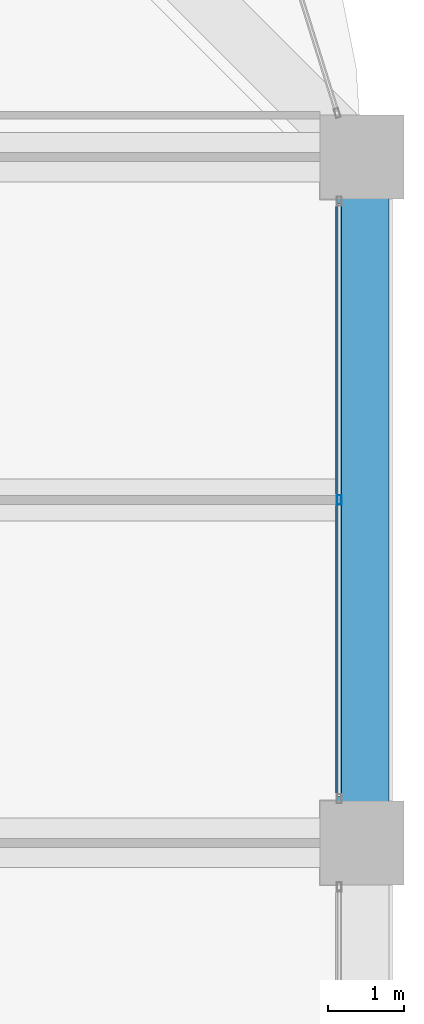
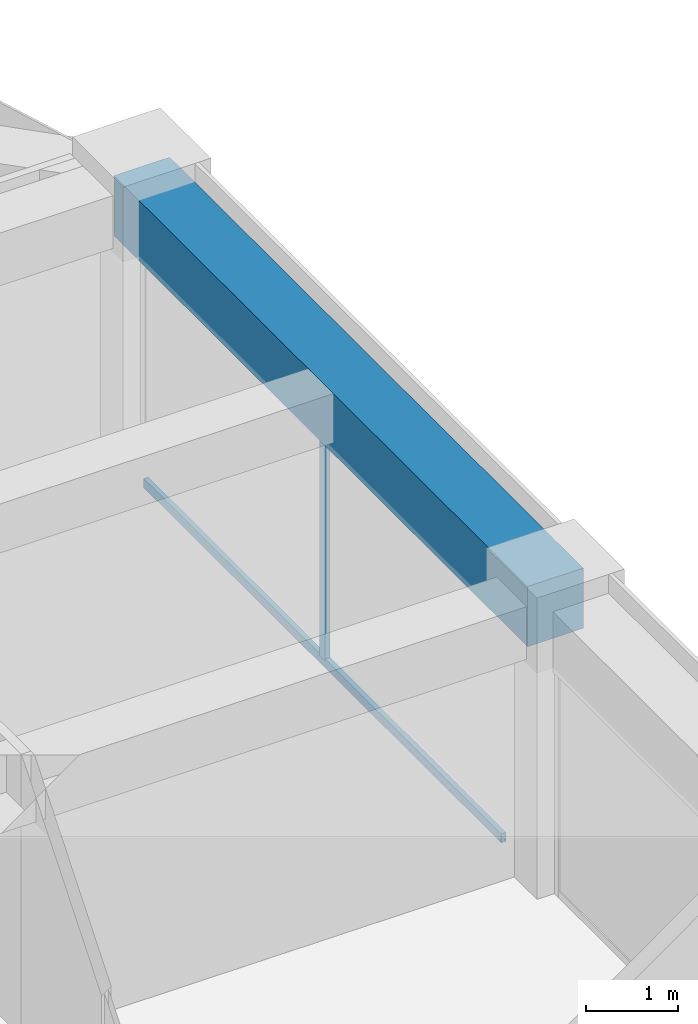
# One storey, part 27 of 44: 2 members, 1 beam, 1 element without a shape of its own.
"""IFC4 building model written with IfcOpenShell, lengths in metres."""

from ifc_helpers import new_model, si_unit, direction, frame, origin, origin_2d, place, context, subcontext, project, spatial, rectangle, hollow_rectangle, extrude, material, material_profile, profile_set, type_object, element, aggregate, save


model = new_model("IFC4")

# Units and contexts
model_context = context("Model", 3, precision=1e-05, world=origin(), true_north=direction((0.0, 1.0)))
body_context = subcontext(model_context, "Body", "Model", "MODEL_VIEW")
ifc_project = project(units=[si_unit("LENGTHUNIT", "METRE"), si_unit("AREAUNIT", "SQUARE_METRE"), si_unit("VOLUMEUNIT", "CUBIC_METRE"), si_unit("PLANEANGLEUNIT", "RADIAN"), si_unit("MASSUNIT", "GRAM", prefix="KILO")], contexts=[model_context])

# Site, building, storey
site_placement = place(None, origin())
site = spatial("IfcSite", under=ifc_project, at=site_placement, CompositionType="ELEMENT")
building_placement = place(site_placement, origin())
building = spatial("IfcBuilding", under=site, at=building_placement, Name="Zorevar Civic Tower", CompositionType="ELEMENT")
storey_placement = place(building_placement, frame((0.0, 0.0, 271.39990234375)))
storey = spatial("IfcBuildingStorey", under=building, at=storey_placement, Name="L66", CompositionType="ELEMENT", Elevation=271.39990234375)

# Curtain wall, members
ifc_material_1 = material(Name="Dark grey solar-control glass in black aluminium frame", Category="aluminium")
curtain_wall_type = type_object("IfcCurtainWallType", Name="Curtain wall CW5 top zone", PredefinedType="NOTDEFINED", material=ifc_material_1)
curtain_wall_placement = place(storey_placement, origin())
curtain_wall = element("IfcCurtainWall", 1, at=curtain_wall_placement, inside=storey, type_object=curtain_wall_type, Name="CW5 L66", PredefinedType="NOTDEFINED")
ifc_material_2 = material(Name="Aluminium, black anodised", Category="aluminium")
ifc_material_profile_1 = material_profile(ifc_material_2, hollow_rectangle(XDim=0.06005859375, YDim=0.1201171875, WallThickness=0.0029296875, at=origin_2d()), Name="AL 120x60x3")
ifc_profile_set_1 = profile_set([ifc_material_profile_1], Name="Aluminium, black anodised")
member_type_1 = type_object("IfcMemberType", Name="CW5 mullion AL 120x60x3", PredefinedType="MULLION", material=ifc_profile_set_1)
member_1_placement = place(storey_placement, frame((53.699951171875, 31.5, 0.06005859375), z_axis=(0.0, 0.0, 1.0), x_axis=(-1.0, 0.0, 0.0)))
member_1 = element("IfcMember", 2, at=member_1_placement, type_object=member_type_1, Name="CW5 mullion 2", PredefinedType="MULLION", context=body_context, shape_type="SweptSolid", body=[
    extrude(hollow_rectangle(XDim=0.06005859375, YDim=0.1201171875, WallThickness=0.0029296875, at=origin_2d()), origin(), (0.0, 0.0, 1.0), 2.89013671875),
])
ifc_material_3 = material(Name="Aluminium, black anodised", Category="aluminium")
ifc_material_profile_2 = material_profile(ifc_material_3, hollow_rectangle(XDim=0.06005859375, YDim=0.1201171875, WallThickness=0.0029296875, at=origin_2d()), Name="AL 120x60x3")
ifc_profile_set_2 = profile_set([ifc_material_profile_2], Name="Aluminium, black anodised")
member_type_2 = type_object("IfcMemberType", Name="CW5 transom AL 120x60x3", PredefinedType="USERDEFINED", material=ifc_profile_set_2)
member_2_placement = place(storey_placement, frame((53.699951171875, 27.610107421875, 0.030029296875), z_axis=(0.0, 1.0, 0.0), x_axis=(-1.0, 0.0, 0.0)))
member_2 = element("IfcMember", 3, at=member_2_placement, type_object=member_type_2, Name="CW5 sill transom", ObjectType="TRANSOM", PredefinedType="USERDEFINED", context=body_context, shape_type="SweptSolid", body=[
    extrude(hollow_rectangle(XDim=0.06005859375, YDim=0.1201171875, WallThickness=0.0029296875, at=origin_2d()), origin(), (0.0, 0.0, 1.0), 7.77978515625),
])
aggregate(curtain_wall, [member_1, member_2])

# Beam
ifc_material_4 = material(Name="Concrete C50/60", Category="concrete")
ifc_material_profile_3 = material_profile(ifc_material_4, rectangle(XDim=0.699951171875, YDim=0.800048828125, at=origin_2d()), Name="RC 700x800")
ifc_profile_set_3 = profile_set([ifc_material_profile_3], Name="Concrete C50/60")
beam_type = type_object("IfcBeamType", Name="Edge beam RC 700x800", PredefinedType="SPANDREL", material=ifc_profile_set_3)
beam_placement = place(storey_placement, frame((54.0, 27.0, 3.35009765625), z_axis=(0.0, 1.0, 0.0), x_axis=(-1.0, 0.0, 0.0)))
element("IfcBeam", 4, at=beam_placement, inside=storey, type_object=beam_type, Name="Edge beam L67", PredefinedType="SPANDREL", context=body_context, shape_type="SweptSolid", body=[
    extrude(rectangle(XDim=0.699951171875, YDim=0.800048828125, at=origin_2d()), origin(), (0.0, 0.0, 1.0), 9.0),
])

save(model, "model.ifc")
